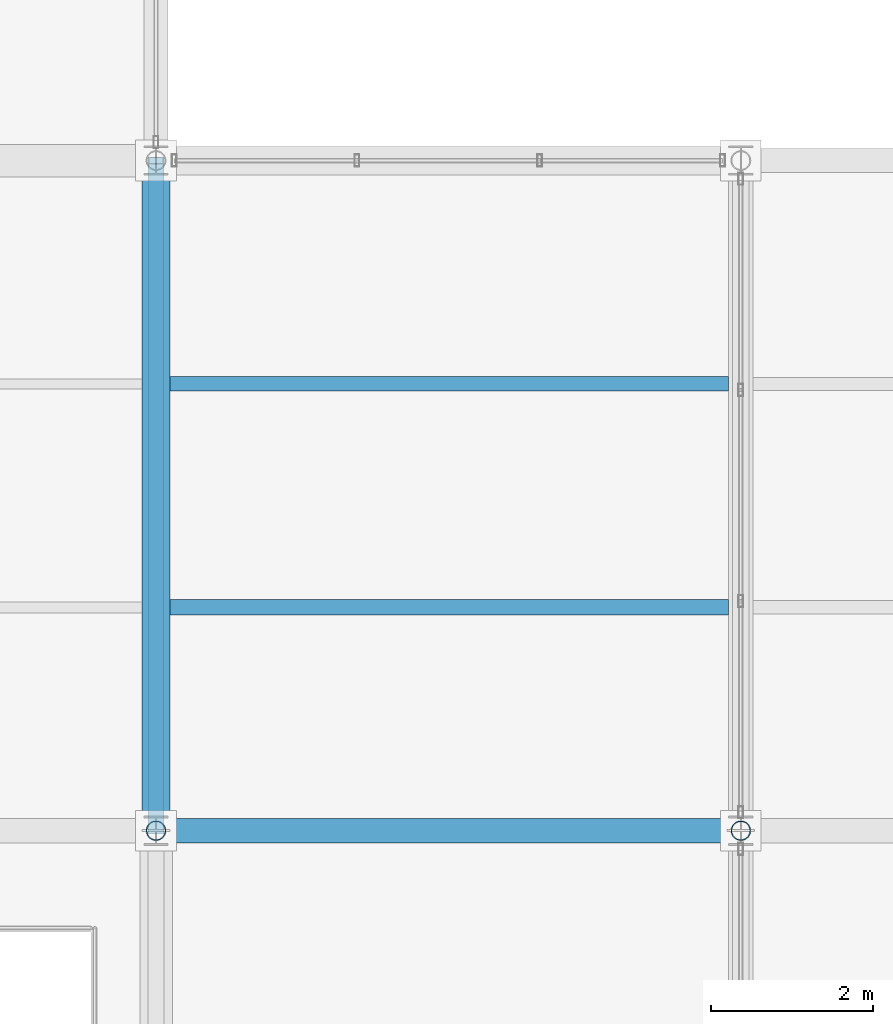
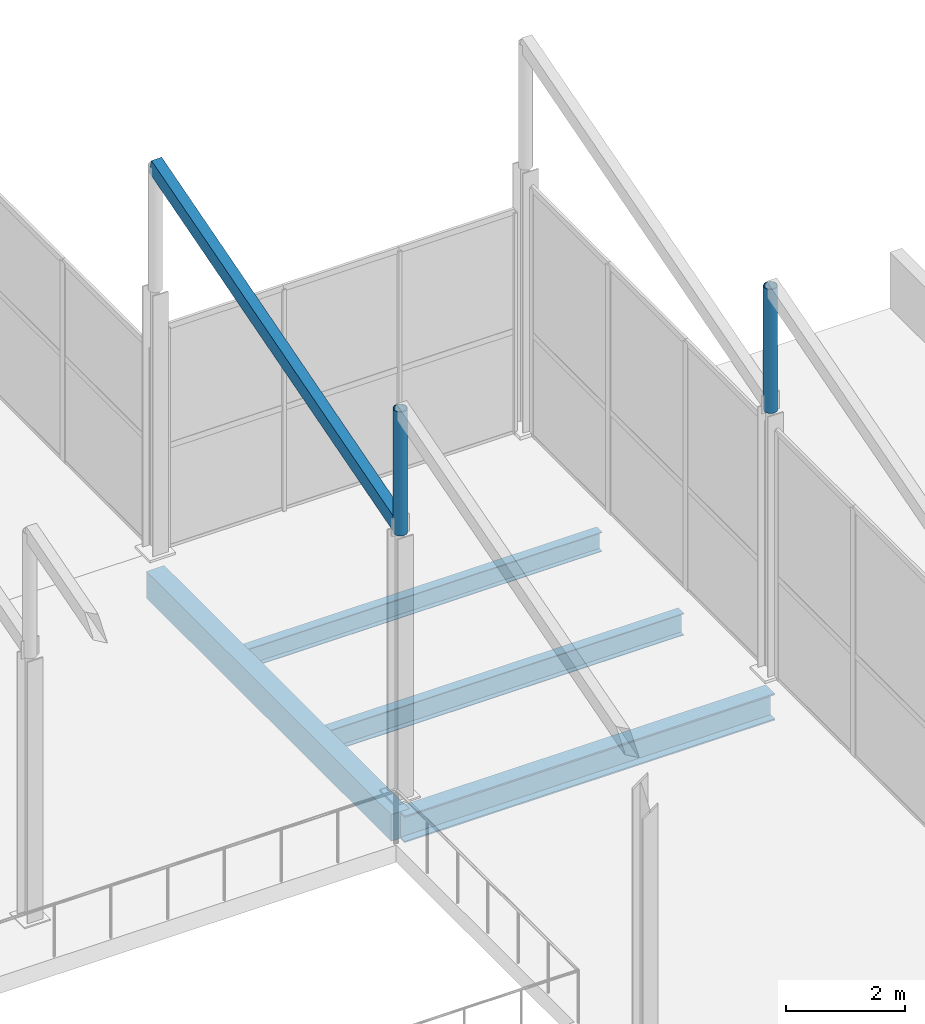
# One storey, part 69 of 141: 4 beams, 3 members.
"""IFC4 building model written with IfcOpenShell, lengths in metres."""

from ifc_helpers import new_model, si_unit, direction, frame, origin, origin_2d, place, context, subcontext, project, spatial, rectangle, hollow_rectangle, hollow_circle, i_section, extrude, material, material_profile, profile_set, type_object, element, save


model = new_model("IFC4")

# Units and contexts
model_context = context("Model", 3, precision=1e-05, world=origin(), true_north=direction((0.0, 1.0)))
body_context = subcontext(model_context, "Body", "Model", "MODEL_VIEW")
ifc_project = project(units=[si_unit("LENGTHUNIT", "METRE"), si_unit("AREAUNIT", "SQUARE_METRE"), si_unit("VOLUMEUNIT", "CUBIC_METRE"), si_unit("PLANEANGLEUNIT", "RADIAN"), si_unit("MASSUNIT", "GRAM", prefix="KILO")], contexts=[model_context])

# Site, building, storey
site_placement = place(None, origin())
site = spatial("IfcSite", under=ifc_project, at=site_placement, CompositionType="ELEMENT")
building_placement = place(site_placement, origin())
building = spatial("IfcBuilding", under=site, at=building_placement, Name="Sundgate Opera House", CompositionType="ELEMENT")
storey_placement = place(building_placement, frame((0.0, 0.0, 11.39990234375)))
storey = spatial("IfcBuildingStorey", under=building, at=storey_placement, Name="L02", CompositionType="ELEMENT", Elevation=11.39990234375)

# Beams
ifc_material_1 = material(Name="Steel S355J2", Category="steel")
ifc_material_profile_1 = material_profile(ifc_material_1, i_section(OverallWidth=0.300048828125, OverallDepth=0.550048828125, WebThickness=0.014892578125, FlangeThickness=0.029052734375, at=origin_2d()), Name="HEB 550")
ifc_profile_set_1 = profile_set([ifc_material_profile_1], Name="Steel S355J2")
beam_type_1 = type_object("IfcBeamType", Name="BM-GR-HEB550", PredefinedType="BEAM", material=ifc_profile_set_1)
beam_1_placement = place(storey_placement, frame((145.800048828125, 24.75, -0.625), z_axis=(1.0, 0.0, 0.0), x_axis=(0.0, 1.0, 0.0)))
element("IfcBeam", 1, at=beam_1_placement, inside=storey, type_object=beam_type_1, Name="L02 Primary E-W Girder B1992", PredefinedType="BEAM", context=body_context, shape_type="SweptSolid", body=[
    extrude(i_section(OverallWidth=0.300048828125, OverallDepth=0.550048828125, WebThickness=0.014892578125, FlangeThickness=0.029052734375, at=origin_2d()), origin(), (0.0, 0.0, 1.0), 7.199951171875),
])
ifc_material_2 = material(Name="Steel S355J2", Category="steel")
ifc_material_profile_2 = material_profile(ifc_material_2, i_section(OverallWidth=0.179931640625, OverallDepth=0.39990234375, WebThickness=0.008544921875, FlangeThickness=0.013427734375, at=origin_2d()), Name="IPE 400")
ifc_profile_set_2 = profile_set([ifc_material_profile_2], Name="Steel S355J2")
beam_type_2 = type_object("IfcBeamType", Name="BM-JS-IPE400", PredefinedType="JOIST", material=ifc_profile_set_2)
beam_2_placement = place(storey_placement, frame((145.97509765625, 30.25, -0.5498046875), z_axis=(1.0, 0.0, 0.0), x_axis=(0.0, 1.0, 0.0)))
element("IfcBeam", 2, at=beam_2_placement, inside=storey, type_object=beam_type_2, Name="L02 Secondary Floor Joist B2193", PredefinedType="JOIST", context=body_context, shape_type="SweptSolid", body=[
    extrude(i_section(OverallWidth=0.179931640625, OverallDepth=0.39990234375, WebThickness=0.008544921875, FlangeThickness=0.013427734375, at=origin_2d()), origin(), (0.0, 0.0, 1.0), 6.875),
])
ifc_material_3 = material(Name="Steel S355J2", Category="steel")
ifc_material_profile_3 = material_profile(ifc_material_3, i_section(OverallWidth=0.18994140625, OverallDepth=0.449951171875, WebThickness=0.009521484375, FlangeThickness=0.0146484375, at=origin_2d()), Name="IPE 450")
ifc_profile_set_3 = profile_set([ifc_material_profile_3], Name="Steel S355J2")
beam_type_3 = type_object("IfcBeamType", Name="BM-JS-IPE450", PredefinedType="JOIST", material=ifc_profile_set_3)
beam_3_placement = place(storey_placement, frame((145.97509765625, 27.5, -0.574951171875), z_axis=(1.0, 0.0, 0.0), x_axis=(0.0, 1.0, 0.0)))
element("IfcBeam", 3, at=beam_3_placement, inside=storey, type_object=beam_type_3, Name="L02 Secondary Floor Joist B2192", PredefinedType="JOIST", context=body_context, shape_type="SweptSolid", body=[
    extrude(i_section(OverallWidth=0.18994140625, OverallDepth=0.449951171875, WebThickness=0.009521484375, FlangeThickness=0.0146484375, at=origin_2d()), origin(), (0.0, 0.0, 1.0), 6.875),
])
ifc_material_4 = material(Name="Concrete C35/45", Category="concrete")
ifc_material_profile_4 = material_profile(ifc_material_4, rectangle(XDim=0.35009765625, YDim=0.550048828125, at=origin_2d()), Name="RC 350x550")
ifc_profile_set_4 = profile_set([ifc_material_profile_4], Name="Concrete C35/45")
beam_type_4 = type_object("IfcBeamType", Name="BM-RC-350x550", PredefinedType="BEAM", material=ifc_profile_set_4)
beam_4_placement = place(storey_placement, frame((145.800048828125, 24.75, -0.625), z_axis=(0.0, 1.0, 0.0), x_axis=(-1.0, 0.0, 0.0)))
element("IfcBeam", 4, at=beam_4_placement, inside=storey, type_object=beam_type_4, Name="L02 Primary N-S Girder B1922", PredefinedType="BEAM", context=body_context, shape_type="SweptSolid", body=[
    extrude(rectangle(XDim=0.35009765625, YDim=0.550048828125, at=origin_2d()), origin(), (0.0, 0.0, 1.0), 8.25),
])

# Members
ifc_material_5 = material(Name="Steel S355J2", Category="steel")
ifc_material_profile_5 = material_profile(ifc_material_5, hollow_rectangle(XDim=0.199951171875, YDim=0.300048828125, WallThickness=0.012451171875, at=origin_2d()), Name="RHS 300x200x12.5")
ifc_profile_set_5 = profile_set([ifc_material_profile_5], Name="Steel S355J2")
member_type_1 = type_object("IfcMemberType", Name="MB-CHORD-RHS300", PredefinedType="CHORD", material=ifc_profile_set_5)
member_placement = place(storey_placement, frame((145.800048828125, 24.75, 5.550048828125), z_axis=(0.0, 0.96019072379, 0.279345259398), x_axis=(-1.0, 0.0, 0.0)))
element("IfcMember", 5, at=member_placement, inside=storey, type_object=member_type_1, Name="L02 Sawtooth Rafter M0431", PredefinedType="CHORD", context=body_context, shape_type="SweptSolid", body=[
    extrude(hollow_rectangle(XDim=0.199951171875, YDim=0.300048828125, WallThickness=0.012451171875, at=origin_2d()), origin(), (0.0, 0.0, 1.0), 8.592041015625),
])
ifc_material_6 = material(Name="Steel S355J2", Category="steel")
ifc_material_profile_6 = material_profile(ifc_material_6, hollow_circle(Radius=0.122314453125, WallThickness=0.012451171875, at=origin_2d()), Name="CHS 244.5x12.5")
ifc_profile_set_6 = profile_set([ifc_material_profile_6], Name="Steel S355J2")
member_type_2 = type_object("IfcMemberType", Name="MB-STRUT-CHS244", PredefinedType="STRUT", material=ifc_profile_set_6)
for number, where, z_axis, x_axis, name in (
    (6, (145.800048828125, 24.75, 5.400146484375), (0.0, 0.0, 1.0), (1.0, 0.0, 0.0), "L02 Sawtooth Northlight Post M0414"),
    (7, (153.0, 24.75, 5.400146484375), (0.0, 0.0, 1.0), (1.0, 0.0, 0.0), "L02 Sawtooth Northlight Post M0416"),
):
    element("IfcMember", number, at=place(storey_placement, frame(where, z_axis=z_axis, x_axis=x_axis)), inside=storey, type_object=member_type_2, Name=name, PredefinedType="STRUT", context=body_context, shape_type="SweptSolid", body=[
        extrude(hollow_circle(Radius=0.122314453125, WallThickness=0.012451171875, at=origin_2d()), origin(), (0.0, 0.0, 1.0), 2.550048828125),
    ])

save(model, "model.ifc")
